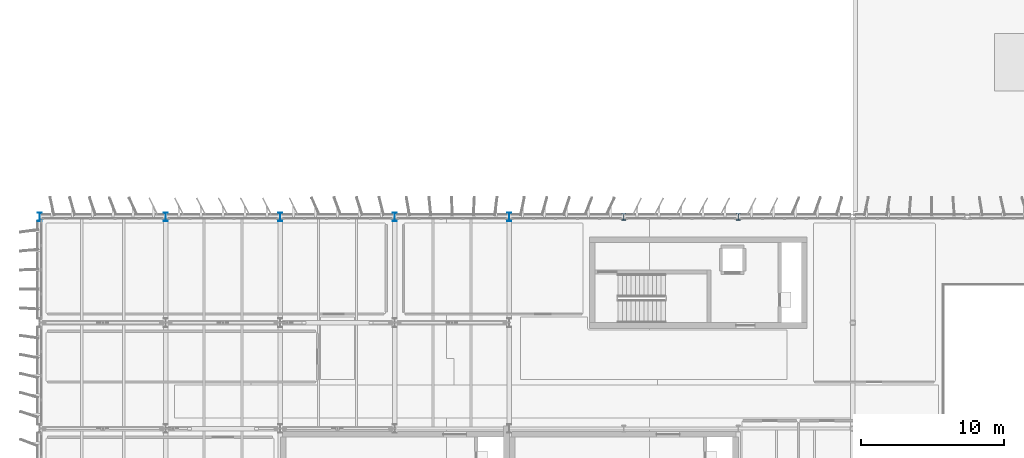
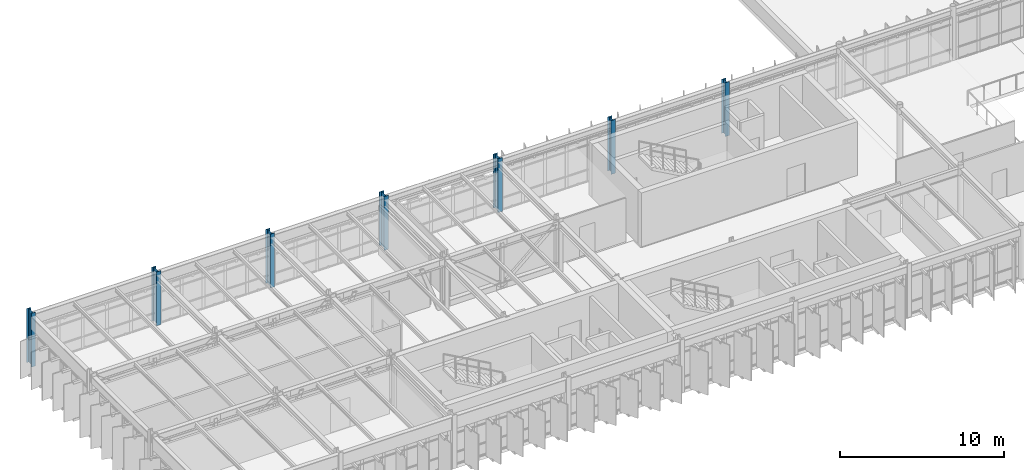
# One storey, part 3 of 56: 7 columns.
"""IFC4 building model written with IfcOpenShell, lengths in metres."""

from ifc_helpers import new_model, si_unit, direction, frame, origin, origin_2d, place, context, subcontext, project, spatial, i_section, extrude, material, material_profile, profile_set, type_object, element, save


model = new_model("IFC4")

# Units and contexts
model_context = context("Model", 3, precision=1e-05, world=origin(), true_north=direction((0.0, 1.0)))
body_context = subcontext(model_context, "Body", "Model", "MODEL_VIEW")
ifc_project = project(units=[si_unit("LENGTHUNIT", "METRE"), si_unit("AREAUNIT", "SQUARE_METRE"), si_unit("VOLUMEUNIT", "CUBIC_METRE"), si_unit("PLANEANGLEUNIT", "RADIAN"), si_unit("MASSUNIT", "GRAM", prefix="KILO")], contexts=[model_context])

# Site, building, storey
site_placement = place(None, origin())
site = spatial("IfcSite", under=ifc_project, at=site_placement, CompositionType="ELEMENT")
building_placement = place(site_placement, origin())
building = spatial("IfcBuilding", under=site, at=building_placement, Name="Valkorina Park Police Headquarters", CompositionType="ELEMENT")
storey_placement = place(building_placement, frame((0.0, 0.0, 14.10009765625)))
storey = spatial("IfcBuildingStorey", under=building, at=storey_placement, Name="L04", CompositionType="ELEMENT", Elevation=14.10009765625)

# Columns
ifc_material = material(Name="Steel S355", Category="steel")
ifc_material_profile_1 = material_profile(ifc_material, i_section(OverallWidth=0.300048828125, OverallDepth=0.449951171875, WebThickness=0.013916015625, FlangeThickness=0.02587890625, FilletRadius=0.027099609375, at=origin_2d()), Name="HEB 450")
ifc_profile_set_1 = profile_set([ifc_material_profile_1], Name="Steel S355")
column_type_1 = type_object("IfcColumnType", Name="COL-S355-HEB450-EXT", PredefinedType="COLUMN", material=ifc_profile_set_1)
for number, where, z_axis, x_axis, name in (
    (1, (40.800048828125, 59.199951171875, 0.0), (0.0, 0.0, 1.0), (1.0, 0.0, 0.0), "L04 Column 0874"),
    (2, (48.800048828125, 59.199951171875, 0.0), (0.0, 0.0, 1.0), (1.0, 0.0, 0.0), "L04 Column 0877"),
):
    element("IfcColumn", number, at=place(storey_placement, frame(where, z_axis=z_axis, x_axis=x_axis)), inside=storey, type_object=column_type_1, Name=name, PredefinedType="COLUMN", context=body_context, shape_type="SweptSolid", body=[
        extrude(i_section(OverallWidth=0.300048828125, OverallDepth=0.449951171875, WebThickness=0.013916015625, FlangeThickness=0.02587890625, FilletRadius=0.027099609375, at=origin_2d()), origin(), (0.0, 0.0, 1.0), 4.0),
    ])
ifc_material_profile_2 = material_profile(ifc_material, i_section(OverallWidth=0.300048828125, OverallDepth=0.60009765625, WebThickness=0.015380859375, FlangeThickness=0.030029296875, FilletRadius=0.027099609375, at=origin_2d()), Name="HEB 600")
ifc_profile_set_2 = profile_set([ifc_material_profile_2], Name="Steel S355")
column_type_2 = type_object("IfcColumnType", Name="COL-S355-HEB600-EXT", PredefinedType="COLUMN", material=ifc_profile_set_2)
for number, where, z_axis, x_axis, name in (
    (3, (0.0, 59.199951171875, 0.0), (0.0, 0.0, 1.0), (1.0, 0.0, 0.0), "L04 Column 0855"),
    (4, (8.800048828125, 59.199951171875, 0.0), (0.0, 0.0, 1.0), (1.0, 0.0, 0.0), "L04 Column 0859"),
    (5, (16.800048828125, 59.199951171875, 0.0), (0.0, 0.0, 1.0), (1.0, 0.0, 0.0), "L04 Column 0863"),
    (6, (24.800048828125, 59.199951171875, 0.0), (0.0, 0.0, 1.0), (1.0, 0.0, 0.0), "L04 Column 0867"),
    (7, (32.800048828125, 59.199951171875, 0.0), (0.0, 0.0, 1.0), (1.0, 0.0, 0.0), "L04 Column 0871"),
):
    element("IfcColumn", number, at=place(storey_placement, frame(where, z_axis=z_axis, x_axis=x_axis)), inside=storey, type_object=column_type_2, Name=name, PredefinedType="COLUMN", context=body_context, shape_type="SweptSolid", body=[
        extrude(i_section(OverallWidth=0.300048828125, OverallDepth=0.60009765625, WebThickness=0.015380859375, FlangeThickness=0.030029296875, FilletRadius=0.027099609375, at=origin_2d()), origin(), (0.0, 0.0, 1.0), 4.0),
    ])

save(model, "model.ifc")
